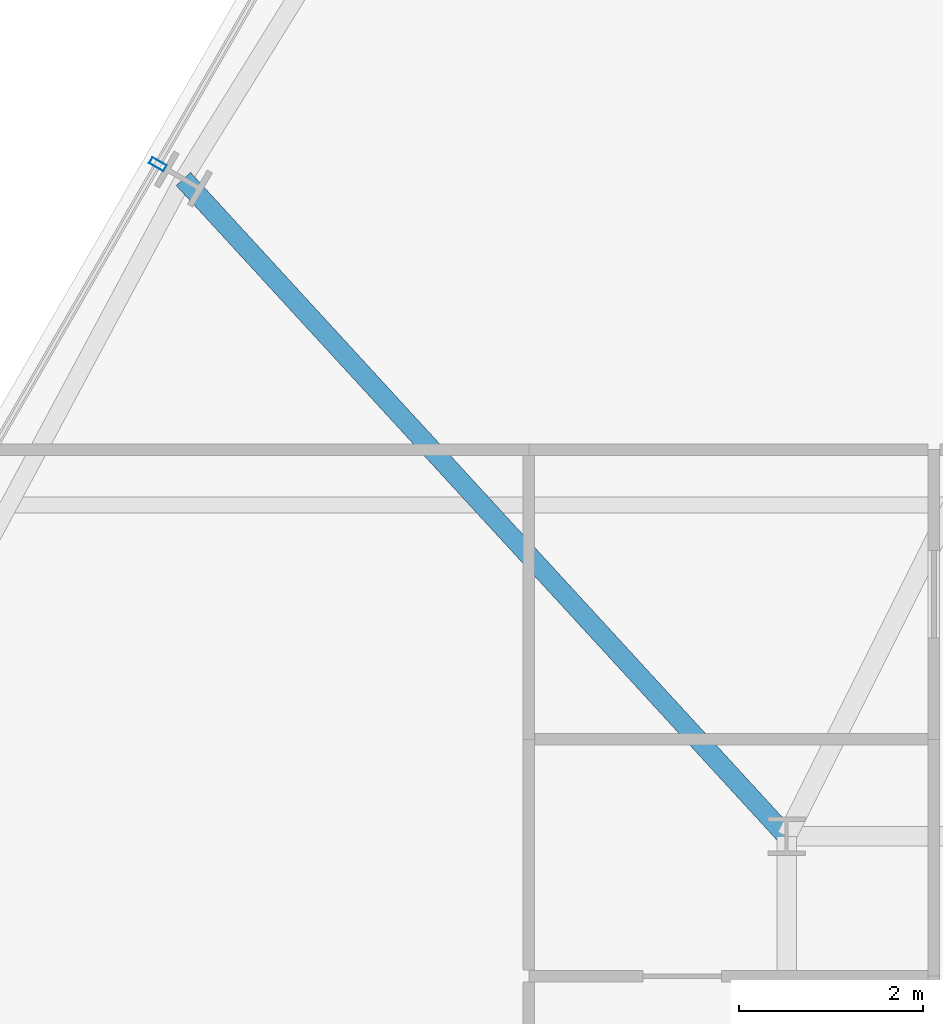
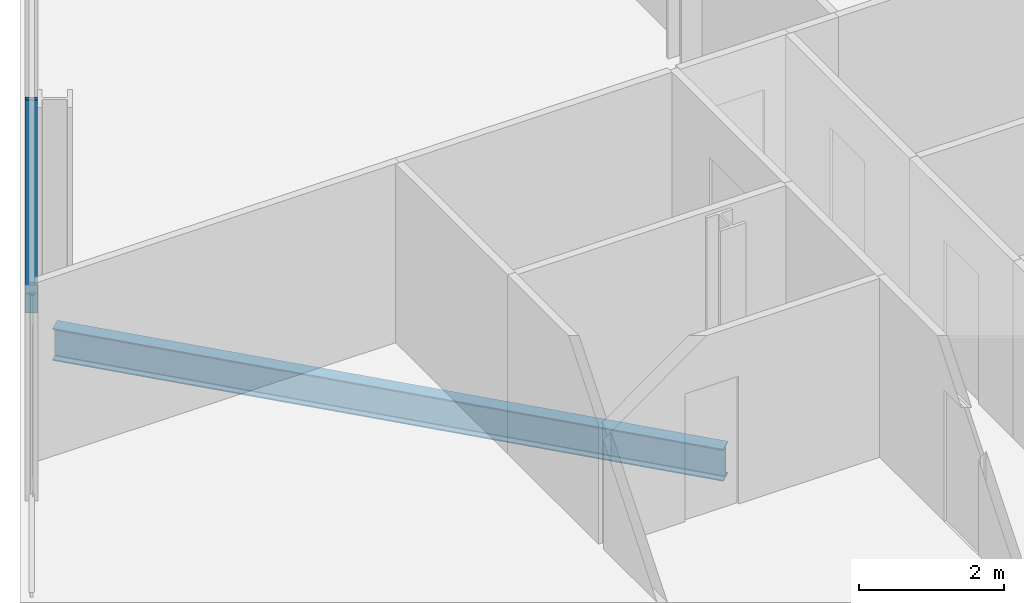
# One storey, part 12 of 33: 1 beam, 1 member, 1 element without a shape of its own.
"""IFC4 building model written with IfcOpenShell, lengths in metres."""

from ifc_helpers import new_model, si_unit, direction, frame, origin, origin_2d, place, context, subcontext, project, spatial, hollow_rectangle, i_section, extrude, material, layer, layer_set, material_profile, profile_set, type_object, element, aggregate, save


model = new_model("IFC4")

# Units and contexts
model_context = context("Model", 3, precision=1e-05, world=origin(), true_north=direction((0.0, 1.0)))
body_context = subcontext(model_context, "Body", "Model", "MODEL_VIEW")
ifc_project = project(units=[si_unit("LENGTHUNIT", "METRE"), si_unit("AREAUNIT", "SQUARE_METRE"), si_unit("VOLUMEUNIT", "CUBIC_METRE"), si_unit("PLANEANGLEUNIT", "RADIAN"), si_unit("MASSUNIT", "GRAM", prefix="KILO")], contexts=[model_context])

# Site, building, storey
site_placement = place(None, origin())
site = spatial("IfcSite", under=ifc_project, at=site_placement, CompositionType="ELEMENT")
building_placement = place(site_placement, origin())
building = spatial("IfcBuilding", under=site, at=building_placement, Name="Ndaravel Arena Tower", CompositionType="ELEMENT")
storey_placement = place(building_placement, frame((0.0, 0.0, 153.60009765625)))
storey = spatial("IfcBuildingStorey", under=building, at=storey_placement, Name="L36", CompositionType="ELEMENT", Elevation=153.60009765625)

# Beam
ifc_material_1 = material(Name="Steel S355", Category="steel")
ifc_material_profile_1 = material_profile(ifc_material_1, i_section(OverallWidth=0.210693359375, OverallDepth=0.53955078125, WebThickness=0.01171875, FlangeThickness=0.018798828125, FilletRadius=0.0126953125, at=origin_2d()), Name="UB 533x210x109")
ifc_profile_set_1 = profile_set([ifc_material_profile_1], Name="Steel S355")
beam_type = type_object("IfcBeamType", Name="BM-GIRD-UB533", PredefinedType="BEAM", material=ifc_profile_set_1)
beam_placement = place(storey_placement, frame((27.647216796875, 30.339599609375, -0.48974609375), z_axis=(0.676176261824, -0.736739888255, 0.0), x_axis=(0.736739888255, 0.676176261824, 0.0)))
element("IfcBeam", 1, at=beam_placement, inside=storey, type_object=beam_type, Name="L36 Radial Floor Girder FG-19", PredefinedType="BEAM", context=body_context, shape_type="SweptSolid", body=[
    extrude(i_section(OverallWidth=0.210693359375, OverallDepth=0.53955078125, WebThickness=0.01171875, FlangeThickness=0.018798828125, FilletRadius=0.0126953125, at=origin_2d()), origin(), (0.0, 0.0, 1.0), 9.69091796875),
])

# Curtain wall, member
ifc_material_2 = material(Name="Aluminium", Category="aluminium")
ifc_layer = layer(ifc_material_2, 0.179931640625)
ifc_layer_set = layer_set([ifc_layer], Name="Aluminium")
curtain_wall_type = type_object("IfcCurtainWallType", Name="CW-SYS-03", PredefinedType="NOTDEFINED", material=ifc_layer_set)
curtain_wall_placement = place(storey_placement, origin())
curtain_wall = element("IfcCurtainWall", 2, at=curtain_wall_placement, inside=storey, type_object=curtain_wall_type, Name="L36 Faceted Crystal Curtain Wall CW-L36-E05", PredefinedType="NOTDEFINED")
ifc_material_3 = material(Name="Aluminium", Category="aluminium")
ifc_material_profile_2 = material_profile(ifc_material_3, hollow_rectangle(XDim=0.074951171875, YDim=0.179931640625, WallThickness=0.00390625, at=origin_2d()), Name="CW MULLION 75x180x4")
ifc_profile_set_2 = profile_set([ifc_material_profile_2], Name="Aluminium")
member_type = type_object("IfcMemberType", Name="MEM-CW-MUL180", PredefinedType="MULLION", material=ifc_profile_set_2)
member_placement = place(storey_placement, frame((27.3701171875, 30.49951171875, 0.0), z_axis=(0.0, 0.0, 1.0), x_axis=(-0.5, -0.866025403784, 0.0)))
member = element("IfcMember", 3, at=member_placement, type_object=member_type, Name="CW-L36-E05 Mullion 04", PredefinedType="MULLION", context=body_context, shape_type="SweptSolid", body=[
    extrude(hollow_rectangle(XDim=0.074951171875, YDim=0.179931640625, WallThickness=0.00390625, at=origin_2d()), origin(), (0.0, 0.0, 1.0), 3.579833984375),
])
aggregate(curtain_wall, [member])

save(model, "model.ifc")
